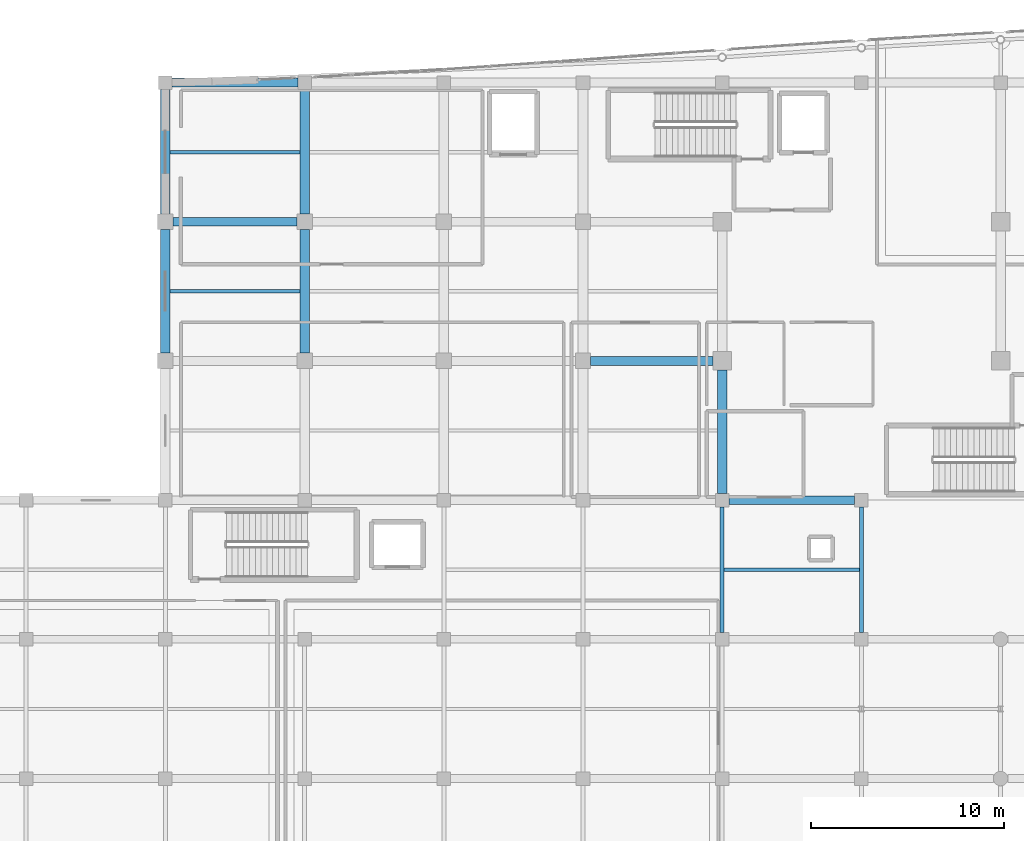
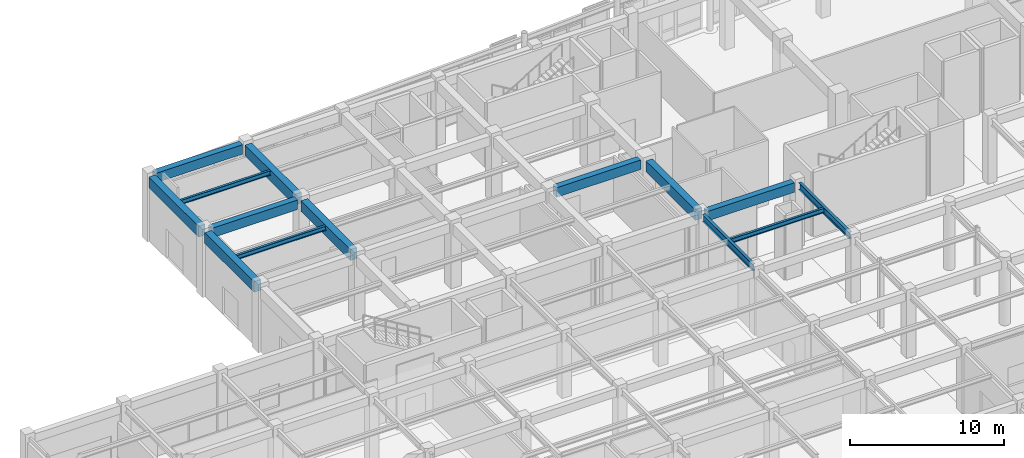
# One storey, part 23 of 102: 14 beams.
"""IFC4 building model written with IfcOpenShell, lengths in metres."""

from ifc_helpers import new_model, si_unit, direction, frame, origin, origin_2d, place, context, subcontext, project, spatial, rectangle, i_section, extrude, material, material_profile, profile_set, type_object, element, save


model = new_model("IFC4")

# Units and contexts
model_context = context("Model", 3, precision=1e-05, world=origin(), true_north=direction((0.0, 1.0)))
body_context = subcontext(model_context, "Body", "Model", "MODEL_VIEW")
ifc_project = project(units=[si_unit("LENGTHUNIT", "METRE"), si_unit("AREAUNIT", "SQUARE_METRE"), si_unit("VOLUMEUNIT", "CUBIC_METRE"), si_unit("PLANEANGLEUNIT", "RADIAN"), si_unit("MASSUNIT", "GRAM", prefix="KILO")], contexts=[model_context])

# Site, building, storey
site_placement = place(None, origin())
site = spatial("IfcSite", under=ifc_project, at=site_placement, CompositionType="ELEMENT")
building_placement = place(site_placement, origin())
building = spatial("IfcBuilding", under=site, at=building_placement, Name="Carrowvane Square Congress Hotel", CompositionType="ELEMENT")
storey_placement = place(building_placement, origin())
storey = spatial("IfcBuildingStorey", under=building, at=storey_placement, Name="L00", CompositionType="ELEMENT", Elevation=0.0)

# Beams
ifc_material_1 = material(Name="Concrete C35/45", Category="concrete")
ifc_material_profile_1 = material_profile(ifc_material_1, rectangle(XDim=0.449951171875, YDim=0.75, at=origin_2d()), Name="RC 450x750")
ifc_profile_set_1 = profile_set([ifc_material_profile_1], Name="Concrete C35/45")
beam_type_1 = type_object("IfcBeamType", Name="BM-RC-450x750", PredefinedType="USERDEFINED", material=ifc_profile_set_1)
beam_1_placement = place(storey_placement, frame((62.35009765625, 91.800048828125, 4.72509765625), z_axis=(1.0, 0.0, 0.0), x_axis=(0.0, 1.0, 0.0)))
element("IfcBeam", 1, at=beam_1_placement, inside=storey, type_object=beam_type_1, Name="L01 girder N/8-9", ObjectType="GIRDER", PredefinedType="USERDEFINED", context=body_context, shape_type="SweptSolid", body=[
    extrude(rectangle(XDim=0.449951171875, YDim=0.75, at=origin_2d()), origin(), (0.0, 0.0, 1.0), 6.5),
])
beam_2_placement = place(storey_placement, frame((55.199951171875, 99.0, 4.72509765625), z_axis=(1.0, 0.0, 0.0), x_axis=(0.0, 1.0, 0.0)))
element("IfcBeam", 2, at=beam_2_placement, inside=storey, type_object=beam_type_1, Name="L01 girder P/7-8", ObjectType="GIRDER", PredefinedType="USERDEFINED", context=body_context, shape_type="SweptSolid", body=[
    extrude(rectangle(XDim=0.449951171875, YDim=0.75, at=origin_2d()), origin(), (0.0, 0.0, 1.0), 6.324951171875),
])
beam_3_placement = place(storey_placement, frame((33.60009765625, 106.199951171875, 4.72509765625), z_axis=(1.0, 0.0, 0.0), x_axis=(0.0, 1.0, 0.0)))
element("IfcBeam", 3, at=beam_3_placement, inside=storey, type_object=beam_type_1, Name="L01 girder Q/4-5", ObjectType="GIRDER", PredefinedType="USERDEFINED", context=body_context, shape_type="SweptSolid", body=[
    extrude(rectangle(XDim=0.449951171875, YDim=0.75, at=origin_2d()), origin(), (0.0, 0.0, 1.0), 6.39990234375),
])
beam_4_placement = place(storey_placement, frame((33.550048828125, 113.39990234375, 4.72509765625), z_axis=(1.0, 0.0, 0.0), x_axis=(0.0, 1.0, 0.0)))
element("IfcBeam", 4, at=beam_4_placement, inside=storey, type_object=beam_type_1, Name="L01 girder R/4-5", ObjectType="GIRDER", PredefinedType="USERDEFINED", context=body_context, shape_type="SweptSolid", body=[
    extrude(rectangle(XDim=0.449951171875, YDim=0.75, at=origin_2d()), origin(), (0.0, 0.0, 1.0), 6.5),
])
ifc_material_2 = material(Name="Concrete C35/45", Category="concrete")
ifc_material_profile_2 = material_profile(ifc_material_2, rectangle(XDim=0.5, YDim=0.85009765625, at=origin_2d()), Name="RC 500x850")
ifc_profile_set_2 = profile_set([ifc_material_profile_2], Name="Concrete C35/45")
beam_type_2 = type_object("IfcBeamType", Name="BM-RC-500x850", PredefinedType="USERDEFINED", material=ifc_profile_set_2)
beam_5_placement = place(storey_placement, frame((33.199951171875, 99.39990234375, 4.675048828125), z_axis=(0.0, 1.0, 0.0), x_axis=(-1.0, 0.0, 0.0)))
element("IfcBeam", 5, at=beam_5_placement, inside=storey, type_object=beam_type_2, Name="L01 girder 4/P-Q", ObjectType="GIRDER", PredefinedType="USERDEFINED", context=body_context, shape_type="SweptSolid", body=[
    extrude(rectangle(XDim=0.5, YDim=0.85009765625, at=origin_2d()), origin(), (0.0, 0.0, 1.0), 6.400146484375),
])
beam_6_placement = place(storey_placement, frame((33.199951171875, 106.60009765625, 4.675048828125), z_axis=(0.0, 1.0, 0.0), x_axis=(-1.0, 0.0, 0.0)))
element("IfcBeam", 6, at=beam_6_placement, inside=storey, type_object=beam_type_2, Name="L01 girder 4/Q-R", ObjectType="GIRDER", PredefinedType="USERDEFINED", context=body_context, shape_type="SweptSolid", body=[
    extrude(rectangle(XDim=0.5, YDim=0.85009765625, at=origin_2d()), origin(), (0.0, 0.0, 1.0), 6.449951171875),
])
beam_7_placement = place(storey_placement, frame((40.39990234375, 99.39990234375, 4.675048828125), z_axis=(0.0, 1.0, 0.0), x_axis=(-1.0, 0.0, 0.0)))
element("IfcBeam", 7, at=beam_7_placement, inside=storey, type_object=beam_type_2, Name="L01 girder 5/P-Q", ObjectType="GIRDER", PredefinedType="USERDEFINED", context=body_context, shape_type="SweptSolid", body=[
    extrude(rectangle(XDim=0.5, YDim=0.85009765625, at=origin_2d()), origin(), (0.0, 0.0, 1.0), 6.400146484375),
])
beam_8_placement = place(storey_placement, frame((40.39990234375, 106.60009765625, 4.675048828125), z_axis=(0.0, 1.0, 0.0), x_axis=(-1.0, 0.0, 0.0)))
element("IfcBeam", 8, at=beam_8_placement, inside=storey, type_object=beam_type_2, Name="L01 girder 5/Q-R", ObjectType="GIRDER", PredefinedType="USERDEFINED", context=body_context, shape_type="SweptSolid", body=[
    extrude(rectangle(XDim=0.5, YDim=0.85009765625, at=origin_2d()), origin(), (0.0, 0.0, 1.0), 6.449951171875),
])
beam_9_placement = place(storey_placement, frame((62.0, 92.14990234375, 4.675048828125), z_axis=(0.0, 1.0, 0.0), x_axis=(-1.0, 0.0, 0.0)))
element("IfcBeam", 9, at=beam_9_placement, inside=storey, type_object=beam_type_2, Name="L01 girder 8/N-P", ObjectType="GIRDER", PredefinedType="USERDEFINED", context=body_context, shape_type="SweptSolid", body=[
    extrude(rectangle(XDim=0.5, YDim=0.85009765625, at=origin_2d()), origin(), (0.0, 0.0, 1.0), 6.375),
])
ifc_material_3 = material(Name="Steel S355", Category="steel")
ifc_material_profile_3 = material_profile(ifc_material_3, i_section(OverallWidth=0.172119140625, OverallDepth=0.35791015625, WebThickness=0.008056640625, FlangeThickness=0.012939453125, FilletRadius=0.01025390625, at=origin_2d()), Name="UKB 356x171x57")
ifc_profile_set_3 = profile_set([ifc_material_profile_3], Name="Steel S355")
beam_type_3 = type_object("IfcBeamType", Name="BM-ST-UKB356", PredefinedType="JOIST", material=ifc_profile_set_3)
for number, where, z_axis, x_axis, name in (
    (10, (33.449951171875, 102.60009765625, 4.9208984375), (1.0, 0.0, 0.0), (0.0, 1.0, 0.0), "L01 secondary joist 4-5"),
    (11, (33.449951171875, 109.800048828125, 4.9208984375), (1.0, 0.0, 0.0), (0.0, 1.0, 0.0), "L01 secondary joist 4-5"),
):
    element("IfcBeam", number, at=place(storey_placement, frame(where, z_axis=z_axis, x_axis=x_axis)), inside=storey, type_object=beam_type_3, Name=name, PredefinedType="JOIST", context=body_context, shape_type="SweptSolid", body=[
        extrude(i_section(OverallWidth=0.172119140625, OverallDepth=0.35791015625, WebThickness=0.008056640625, FlangeThickness=0.012939453125, FilletRadius=0.01025390625, at=origin_2d()), origin(), (0.0, 0.0, 1.0), 6.699951171875),
    ])
beam_10_placement = place(storey_placement, frame((62.10498046875, 88.199951171875, 4.9208984375), z_axis=(1.0, 0.0, 0.0), x_axis=(0.0, 1.0, 0.0)))
element("IfcBeam", 12, at=beam_10_placement, inside=storey, type_object=beam_type_3, Name="L01 secondary joist 8-9", PredefinedType="JOIST", context=body_context, shape_type="SweptSolid", body=[
    extrude(i_section(OverallWidth=0.172119140625, OverallDepth=0.35791015625, WebThickness=0.008056640625, FlangeThickness=0.012939453125, FilletRadius=0.01025390625, at=origin_2d()), origin(), (0.0, 0.0, 1.0), 6.989990234375),
])
ifc_material_4 = material(Name="Steel S355", Category="steel")
ifc_material_profile_4 = material_profile(ifc_material_4, i_section(OverallWidth=0.2099609375, OverallDepth=0.53662109375, WebThickness=0.0107421875, FlangeThickness=0.017333984375, FilletRadius=0.0126953125, at=origin_2d()), Name="UKB 533x210x101")
ifc_profile_set_4 = profile_set([ifc_material_profile_4], Name="Steel S355")
beam_type_4 = type_object("IfcBeamType", Name="BM-ST-UKB533", PredefinedType="USERDEFINED", material=ifc_profile_set_4)
for number, where, z_axis, x_axis, name in (
    (13, (62.0, 84.949951171875, 4.83154296875), (0.0, 1.0, 0.0), (-1.0, 0.0, 0.0), "L01 girder 8/M-N"),
    (14, (69.199951171875, 84.949951171875, 4.83154296875), (0.0, 1.0, 0.0), (-1.0, 0.0, 0.0), "L01 girder 9/M-N"),
):
    element("IfcBeam", number, at=place(storey_placement, frame(where, z_axis=z_axis, x_axis=x_axis)), inside=storey, type_object=beam_type_4, Name=name, ObjectType="GIRDER", PredefinedType="USERDEFINED", context=body_context, shape_type="SweptSolid", body=[
        extrude(i_section(OverallWidth=0.2099609375, OverallDepth=0.53662109375, WebThickness=0.0107421875, FlangeThickness=0.017333984375, FilletRadius=0.0126953125, at=origin_2d()), origin(), (0.0, 0.0, 1.0), 6.5),
    ])

save(model, "model.ifc")
